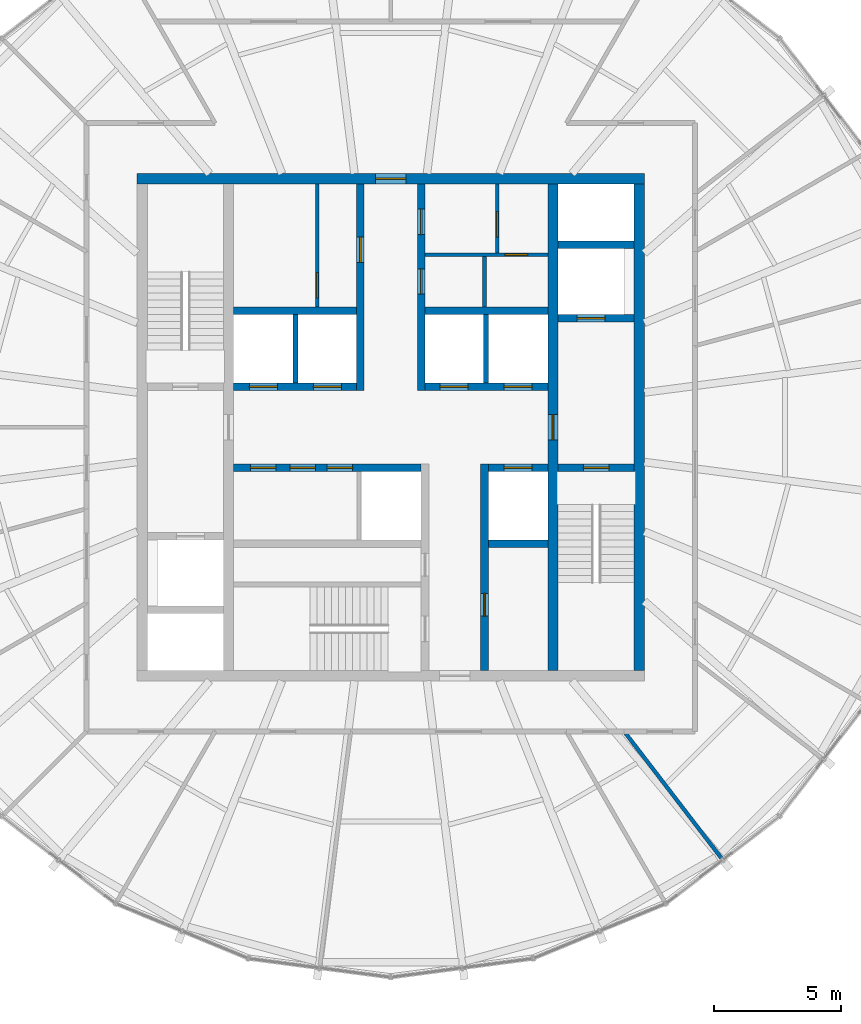
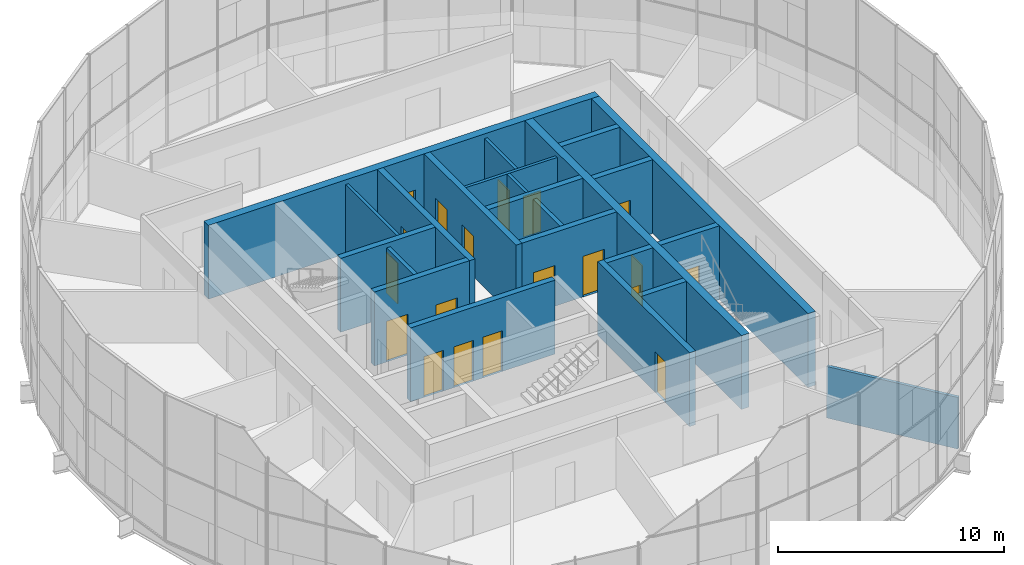
# One storey, part 16 of 18: 23 walls, 19 doors, 19 openings.
"""IFC4 building model written with IfcOpenShell, lengths in metres."""

from ifc_helpers import new_model, si_unit, direction, frame, frame_2d, origin, place, context, subcontext, project, spatial, rectangle, extrude, material, layer, layer_set, type_object, element, fill, save


model = new_model("IFC4")

# Units and contexts
model_context = context("Model", 3, precision=1e-05, world=origin(), true_north=direction((0.0, 1.0)))
body_context = subcontext(model_context, "Body", "Model", "MODEL_VIEW")
ifc_project = project(units=[si_unit("LENGTHUNIT", "METRE"), si_unit("AREAUNIT", "SQUARE_METRE"), si_unit("VOLUMEUNIT", "CUBIC_METRE"), si_unit("PLANEANGLEUNIT", "RADIAN"), si_unit("MASSUNIT", "GRAM", prefix="KILO")], contexts=[model_context])

# Site, building, storey
site_placement = place(None, origin())
site = spatial("IfcSite", under=ifc_project, at=site_placement, CompositionType="ELEMENT")
building_placement = place(site_placement, origin())
building = spatial("IfcBuilding", under=site, at=building_placement, Name="Golbaran Civic Tower", CompositionType="ELEMENT")
storey_placement = place(building_placement, frame((0.0, 0.0, 272.0)))
storey = spatial("IfcBuildingStorey", under=building, at=storey_placement, Name="L66", CompositionType="ELEMENT", Elevation=272.0)

# Wall, opening, door
ifc_material_1 = material(Name="Concrete block", Category="concrete")
ifc_layer_1 = layer(ifc_material_1, 0.14990234375, Name="Concrete block")
ifc_layer_set_1 = layer_set([ifc_layer_1], Name="Concrete block")
wall_type_1 = type_object("IfcWallType", Name="BLOCKWORK PARTITION 150", PredefinedType="PARTITIONING", material=ifc_layer_set_1)
wall_1_placement = place(storey_placement, frame((1.35009765625, 6.800048828125, 0.0), z_axis=(0.0, 0.0, 1.0), x_axis=(1.0, 0.0, 0.0)))
wall_1 = element("IfcWall", 1, at=wall_1_placement, inside=storey, type_object=wall_type_1, Name="Toilet block partition TN1 L66", PredefinedType="PARTITIONING", context=body_context, shape_type="SweptSolid", body=[
    extrude(rectangle(XDim=4.849853515625, YDim=0.14990234375, at=frame_2d((2.4248046875, 0.0))), origin(), (0.0, 0.0, 1.0), 3.75),
])
opening_1_placement = place(wall_1_placement, frame((3.14990234375, 0.0, 0.0)))
opening_1 = element("IfcOpeningElement", 2, at=opening_1_placement, cuts=wall_1, Name="Opening L66.CLN", PredefinedType="OPENING", context=body_context, shape_type="SweptSolid", body=[
    extrude(rectangle(XDim=0.89990234375, YDim=2.199951171875, at=frame_2d((0.449951171875, 1.10009765625))), frame((0.0, 0.0849609375, 0.0), z_axis=(0.0, -1.0, 0.0), x_axis=(1.0, 0.0, 0.0)), (0.0, 0.0, 1.0), 0.169921875),
])
ifc_material_2 = material(Name="Timber door set in steel frame", Category="steel")
door_type_1 = type_object("IfcDoorType", Name="RISER DOOR 900x2200", OperationType="SINGLE_SWING_LEFT", PredefinedType="DOOR", material=ifc_material_2)
door_1_placement = place(opening_1_placement, origin())
door_1 = element("IfcDoor", 3, at=door_1_placement, inside=storey, type_object=door_type_1, Name="Sanitary Supplies Store door", OperationType="SINGLE_SWING_RIGHT", OverallHeight=2.199951171875, OverallWidth=0.89990234375, PredefinedType="DOOR", context=body_context, shape_type="SweptSolid", body=[
    extrude(rectangle(XDim=0.89990234375, YDim=2.199951171875, at=frame_2d((0.449951171875, 1.10009765625))), frame((0.0, 0.02490234375, 0.0), z_axis=(0.0, -1.0, 0.0), x_axis=(1.0, 0.0, 0.0)), (0.0, 0.0, 1.0), 0.050048828125),
])
fill(opening_1, door_1)

# Wall
wall_2_placement = place(storey_placement, frame((3.699951171875, 4.75, 0.0), z_axis=(0.0, 0.0, 1.0), x_axis=(0.0, 1.0, 0.0)))
element("IfcWall", 4, at=wall_2_placement, inside=storey, type_object=wall_type_1, Name="Toilet block partition TN2 L66", PredefinedType="PARTITIONING", context=body_context, shape_type="SweptSolid", body=[
    extrude(rectangle(XDim=1.97509765625, YDim=0.14990234375, at=frame_2d((0.987548828125, 0.0))), origin(), (0.0, 0.0, 1.0), 3.75),
])

# Wall, opening, door
ifc_material_3 = material(Name="Concrete C50/60", Category="concrete")
ifc_layer_2 = layer(ifc_material_3, 0.39990234375, Name="Concrete C50/60")
ifc_layer_set_2 = layer_set([ifc_layer_2], Name="Concrete C50/60")
wall_type_2 = type_object("IfcWallType", Name="CORE WALL CONCRETE 400", PredefinedType="SOLIDWALL", material=ifc_layer_set_2)
wall_3_placement = place(storey_placement, frame((-10.0, 9.800048828125, 0.0), z_axis=(0.0, 0.0, 1.0), x_axis=(1.0, 0.0, 0.0)))
wall_3 = element("IfcWall", 5, at=wall_3_placement, inside=storey, type_object=wall_type_2, Name="Core wall CN L66", PredefinedType="SOLIDWALL", context=body_context, shape_type="SweptSolid", body=[
    extrude(rectangle(XDim=20.0, YDim=0.39990234375, at=frame_2d((10.0, 0.0))), origin(), (0.0, 0.0, 1.0), 4.0),
])
opening_2_placement = place(wall_3_placement, frame((9.39990234375, 0.0, 0.0)))
opening_2 = element("IfcOpeningElement", 6, at=opening_2_placement, cuts=wall_3, Name="Opening L66.CN", PredefinedType="OPENING", context=body_context, shape_type="SweptSolid", body=[
    extrude(rectangle(XDim=1.199951171875, YDim=2.199951171875, at=frame_2d((0.60009765625, 1.10009765625))), frame((0.0, 0.2099609375, 0.0), z_axis=(0.0, -1.0, 0.0), x_axis=(1.0, 0.0, 0.0)), (0.0, 0.0, 1.0), 0.419921875),
])
door_type_2 = type_object("IfcDoorType", Name="CORE DOOR 1200x2200", OperationType="DOUBLE_DOOR_SINGLE_SWING", PredefinedType="DOOR", material=ifc_material_2)
door_2_placement = place(opening_2_placement, origin())
door_2 = element("IfcDoor", 7, at=door_2_placement, inside=storey, type_object=door_type_2, Name="Core door north", OperationType="DOUBLE_DOOR_SINGLE_SWING", OverallHeight=2.199951171875, OverallWidth=1.199951171875, PredefinedType="DOOR", context=body_context, shape_type="SweptSolid", body=[
    extrude(rectangle(XDim=1.199951171875, YDim=2.199951171875, at=frame_2d((0.60009765625, 1.10009765625))), frame((0.0, 0.02490234375, 0.0), z_axis=(0.0, -1.0, 0.0), x_axis=(1.0, 0.0, 0.0)), (0.0, 0.0, 1.0), 0.050048828125),
])
fill(opening_2, door_2)

# Wall
wall_4_placement = place(storey_placement, frame((9.800048828125, -9.60009765625, 0.0), z_axis=(0.0, 0.0, 1.0), x_axis=(0.0, 1.0, 0.0)))
element("IfcWall", 8, at=wall_4_placement, inside=storey, type_object=wall_type_2, Name="Core wall CE L66", PredefinedType="SOLIDWALL", context=body_context, shape_type="SweptSolid", body=[
    extrude(rectangle(XDim=19.2001953125, YDim=0.39990234375, at=frame_2d((9.60009765625, 0.0))), origin(), (0.0, 0.0, 1.0), 4.0),
])

# Wall, opening, door
wall_5_placement = place(storey_placement, frame((6.39990234375, 9.60009765625, 0.0), z_axis=(0.0, 0.0, 1.0), x_axis=(0.0, -1.0, 0.0)))
wall_5 = element("IfcWall", 9, at=wall_5_placement, inside=storey, type_object=wall_type_2, Name="Core wall IE L66", PredefinedType="SOLIDWALL", context=body_context, shape_type="SweptSolid", body=[
    extrude(rectangle(XDim=19.2001953125, YDim=0.39990234375, at=frame_2d((9.60009765625, 0.0))), origin(), (0.0, 0.0, 1.0), 4.0),
])
opening_3_placement = place(wall_5_placement, frame((9.10009765625, 0.0, 0.0)))
opening_3 = element("IfcOpeningElement", 10, at=opening_3_placement, cuts=wall_5, Name="Opening L66.FL2", PredefinedType="OPENING", context=body_context, shape_type="SweptSolid", body=[
    extrude(rectangle(XDim=1.0, YDim=2.199951171875, at=frame_2d((0.5, 1.10009765625))), frame((0.0, 0.2099609375, 0.0), z_axis=(0.0, -1.0, 0.0), x_axis=(1.0, 0.0, 0.0)), (0.0, 0.0, 1.0), 0.419921875),
])
door_type_3 = type_object("IfcDoorType", Name="STAIR DOOR 1000x2200", OperationType="SINGLE_SWING_LEFT", PredefinedType="DOOR", material=ifc_material_2)
door_3_placement = place(opening_3_placement, origin())
door_3 = element("IfcDoor", 11, at=door_3_placement, inside=storey, type_object=door_type_3, Name="Fire-fighting lobby FL2 door", OperationType="SINGLE_SWING_RIGHT", OverallHeight=2.199951171875, OverallWidth=1.0, PredefinedType="DOOR", context=body_context, shape_type="SweptSolid", body=[
    extrude(rectangle(XDim=1.0, YDim=2.199951171875, at=frame_2d((0.5, 1.10009765625))), frame((0.0, 0.02490234375, 0.0), z_axis=(0.0, -1.0, 0.0), x_axis=(1.0, 0.0, 0.0)), (0.0, 0.0, 1.0), 0.050048828125),
])
fill(opening_3, door_3)

# Walls
ifc_layer_3 = layer(ifc_material_1, 0.199951171875, Name="Concrete block")
ifc_layer_set_3 = layer_set([ifc_layer_3], Name="Concrete block")
wall_type_3 = type_object("IfcWallType", Name="LIFT SEPARATOR WALL 200", PredefinedType="SOLIDWALL", material=ifc_layer_set_3)
for number, where, z_axis, x_axis, name in (
    (12, (-3.75, 1.75, 0.0), (0.0, 0.0, 1.0), (0.0, 1.0, 0.0), "Core partition SNW L66"),
    (13, (3.75, 1.75, 0.0), (0.0, 0.0, 1.0), (0.0, 1.0, 0.0), "Core partition SNE L66"),
):
    element("IfcWall", number, at=place(storey_placement, frame(where, z_axis=z_axis, x_axis=x_axis)), inside=storey, type_object=wall_type_3, Name=name, PredefinedType="SOLIDWALL", context=body_context, shape_type="SweptSolid", body=[
        extrude(rectangle(XDim=2.699951171875, YDim=0.199951171875, at=frame_2d((1.35009765625, 0.0))), origin(), (0.0, 0.0, 1.0), 3.75),
    ])
ifc_material_4 = material(Name="Gypsum board on steel studs", Category="steel")
ifc_layer_4 = layer(ifc_material_4, 0.14990234375, Name="Gypsum board on steel studs")
ifc_layer_set_4 = layer_set([ifc_layer_4], Name="Gypsum board on steel studs")
wall_type_4 = type_object("IfcWallType", Name="OFFICE PARTITION 150", PredefinedType="PARTITIONING", material=ifc_layer_set_4)
wall_6_placement = place(storey_placement, frame((9.2080078125, -12.0, 0.0), z_axis=(0.0, 0.0, 1.0), x_axis=(0.608752966797, -0.793359833503, 0.0)))
element("IfcWall", 14, at=wall_6_placement, inside=storey, type_object=wall_type_4, Name="Partition 307.5 L66", PredefinedType="PARTITIONING", context=body_context, shape_type="SweptSolid", body=[
    extrude(rectangle(XDim=6.297607421875, YDim=0.14990234375, at=frame_2d((3.14892578125, 0.0))), origin(), (0.0, 0.0, 1.0), 2.7900390625),
])

# Wall, openings, doors
ifc_layer_5 = layer(ifc_material_3, 0.300048828125, Name="Concrete C50/60")
ifc_layer_set_5 = layer_set([ifc_layer_5], Name="Concrete C50/60")
wall_type_5 = type_object("IfcWallType", Name="SHAFT WALL CONCRETE 300", PredefinedType="SOLIDWALL", material=ifc_layer_set_5)
wall_7_placement = place(storey_placement, frame((-6.199951171875, 1.60009765625, 0.0), z_axis=(0.0, 0.0, 1.0), x_axis=(1.0, 0.0, 0.0)))
wall_7 = element("IfcWall", 15, at=wall_7_placement, inside=storey, type_object=wall_type_5, Name="Core wall FNW L66", PredefinedType="SOLIDWALL", context=body_context, shape_type="SweptSolid", body=[
    extrude(rectangle(XDim=4.849853515625, YDim=0.300048828125, at=frame_2d((2.4248046875, 0.0))), origin(), (0.0, 0.0, 1.0), 4.0),
])
opening_4_placement = place(wall_7_placement, frame((0.625, 0.0, 0.0)))
opening_4 = element("IfcOpeningElement", 16, at=opening_4_placement, cuts=wall_7, Name="Opening L66.LD-Z1T", PredefinedType="OPENING", context=body_context, shape_type="SweptSolid", body=[
    extrude(rectangle(XDim=1.10009765625, YDim=2.199951171875, at=frame_2d((0.550048828125, 1.10009765625))), frame((0.0, 0.159912109375, 0.0), z_axis=(0.0, -1.0, 0.0), x_axis=(1.0, 0.0, 0.0)), (0.0, 0.0, 1.0), 0.320068359375),
])
opening_5_placement = place(wall_7_placement, frame((3.14990234375, 0.0, 0.0)))
opening_5 = element("IfcOpeningElement", 17, at=opening_5_placement, cuts=wall_7, Name="Opening L66.LD-Z2T", PredefinedType="OPENING", context=body_context, shape_type="SweptSolid", body=[
    extrude(rectangle(XDim=1.10009765625, YDim=2.199951171875, at=frame_2d((0.550048828125, 1.10009765625))), frame((0.0, 0.159912109375, 0.0), z_axis=(0.0, -1.0, 0.0), x_axis=(1.0, 0.0, 0.0)), (0.0, 0.0, 1.0), 0.320068359375),
])
ifc_material_5 = material(Name="Stainless steel", Category="steel")
door_type_4 = type_object("IfcDoorType", Name="LIFT LANDING DOOR 1100x2200", OperationType="SLIDING_TO_LEFT", PredefinedType="DOOR", material=ifc_material_5)
door_4_placement = place(opening_4_placement, origin())
door_4 = element("IfcDoor", 18, at=door_4_placement, inside=storey, type_object=door_type_4, Name="Lift landing door Z1T", OperationType="SLIDING_TO_LEFT", OverallHeight=2.199951171875, OverallWidth=1.10009765625, PredefinedType="DOOR", context=body_context, shape_type="SweptSolid", body=[
    extrude(rectangle(XDim=1.10009765625, YDim=2.199951171875, at=frame_2d((0.550048828125, 1.10009765625))), frame((0.0, 0.02490234375, 0.0), z_axis=(0.0, -1.0, 0.0), x_axis=(1.0, 0.0, 0.0)), (0.0, 0.0, 1.0), 0.050048828125),
])
fill(opening_4, door_4)
door_5_placement = place(opening_5_placement, origin())
door_5 = element("IfcDoor", 19, at=door_5_placement, inside=storey, type_object=door_type_4, Name="Lift landing door Z2T", OperationType="SLIDING_TO_LEFT", OverallHeight=2.199951171875, OverallWidth=1.10009765625, PredefinedType="DOOR", context=body_context, shape_type="SweptSolid", body=[
    extrude(rectangle(XDim=1.10009765625, YDim=2.199951171875, at=frame_2d((0.550048828125, 1.10009765625))), frame((0.0, 0.02490234375, 0.0), z_axis=(0.0, -1.0, 0.0), x_axis=(1.0, 0.0, 0.0)), (0.0, 0.0, 1.0), 0.050048828125),
])
fill(opening_5, door_5)

wall_8_placement = place(storey_placement, frame((1.35009765625, 1.60009765625, 0.0), z_axis=(0.0, 0.0, 1.0), x_axis=(1.0, 0.0, 0.0)))
wall_8 = element("IfcWall", 20, at=wall_8_placement, inside=storey, type_object=wall_type_5, Name="Core wall FNE L66", PredefinedType="SOLIDWALL", context=body_context, shape_type="SweptSolid", body=[
    extrude(rectangle(XDim=4.849853515625, YDim=0.300048828125, at=frame_2d((2.4248046875, 0.0))), origin(), (0.0, 0.0, 1.0), 4.0),
])
opening_6_placement = place(wall_8_placement, frame((0.60009765625, 0.0, 0.0)))
opening_6 = element("IfcOpeningElement", 21, at=opening_6_placement, cuts=wall_8, Name="Opening L66.LD-Z3T", PredefinedType="OPENING", context=body_context, shape_type="SweptSolid", body=[
    extrude(rectangle(XDim=1.10009765625, YDim=2.199951171875, at=frame_2d((0.550048828125, 1.10009765625))), frame((0.0, 0.159912109375, 0.0), z_axis=(0.0, -1.0, 0.0), x_axis=(1.0, 0.0, 0.0)), (0.0, 0.0, 1.0), 0.320068359375),
])
opening_7_placement = place(wall_8_placement, frame((3.125, 0.0, 0.0)))
opening_7 = element("IfcOpeningElement", 22, at=opening_7_placement, cuts=wall_8, Name="Opening L66.LD-Z4T", PredefinedType="OPENING", context=body_context, shape_type="SweptSolid", body=[
    extrude(rectangle(XDim=1.10009765625, YDim=2.199951171875, at=frame_2d((0.550048828125, 1.10009765625))), frame((0.0, 0.159912109375, 0.0), z_axis=(0.0, -1.0, 0.0), x_axis=(1.0, 0.0, 0.0)), (0.0, 0.0, 1.0), 0.320068359375),
])
door_6_placement = place(opening_6_placement, origin())
door_6 = element("IfcDoor", 23, at=door_6_placement, inside=storey, type_object=door_type_4, Name="Lift landing door Z3T", OperationType="SLIDING_TO_LEFT", OverallHeight=2.199951171875, OverallWidth=1.10009765625, PredefinedType="DOOR", context=body_context, shape_type="SweptSolid", body=[
    extrude(rectangle(XDim=1.10009765625, YDim=2.199951171875, at=frame_2d((0.550048828125, 1.10009765625))), frame((0.0, 0.02490234375, 0.0), z_axis=(0.0, -1.0, 0.0), x_axis=(1.0, 0.0, 0.0)), (0.0, 0.0, 1.0), 0.050048828125),
])
fill(opening_6, door_6)
door_7_placement = place(opening_7_placement, origin())
door_7 = element("IfcDoor", 24, at=door_7_placement, inside=storey, type_object=door_type_4, Name="Lift landing door Z4T", OperationType="SLIDING_TO_LEFT", OverallHeight=2.199951171875, OverallWidth=1.10009765625, PredefinedType="DOOR", context=body_context, shape_type="SweptSolid", body=[
    extrude(rectangle(XDim=1.10009765625, YDim=2.199951171875, at=frame_2d((0.550048828125, 1.10009765625))), frame((0.0, 0.02490234375, 0.0), z_axis=(0.0, -1.0, 0.0), x_axis=(1.0, 0.0, 0.0)), (0.0, 0.0, 1.0), 0.050048828125),
])
fill(opening_7, door_7)

# Walls
for number, where, z_axis, x_axis, name in (
    (25, (-6.199951171875, 4.60009765625, 0.0), (0.0, 0.0, 1.0), (1.0, 0.0, 0.0), "Core wall BNW L66"),
    (26, (1.35009765625, 4.60009765625, 0.0), (0.0, 0.0, 1.0), (1.0, 0.0, 0.0), "Core wall BNE L66"),
):
    element("IfcWall", number, at=place(storey_placement, frame(where, z_axis=z_axis, x_axis=x_axis)), inside=storey, type_object=wall_type_5, Name=name, PredefinedType="SOLIDWALL", context=body_context, shape_type="SweptSolid", body=[
        extrude(rectangle(XDim=4.849853515625, YDim=0.300048828125, at=frame_2d((2.4248046875, 0.0))), origin(), (0.0, 0.0, 1.0), 4.0),
    ])

# Wall, opening, door
wall_9_placement = place(storey_placement, frame((-1.199951171875, 1.449951171875, 0.0), z_axis=(0.0, 0.0, 1.0), x_axis=(0.0, 1.0, 0.0)))
wall_9 = element("IfcWall", 27, at=wall_9_placement, inside=storey, type_object=wall_type_5, Name="Core wall PNW L66", PredefinedType="SOLIDWALL", context=body_context, shape_type="SweptSolid", body=[
    extrude(rectangle(XDim=8.150146484375, YDim=0.300048828125, at=frame_2d((4.0751953125, 0.0))), origin(), (0.0, 0.0, 1.0), 4.0),
])
opening_8_placement = place(wall_9_placement, frame((5.050048828125, 0.0, 0.0)))
opening_8 = element("IfcOpeningElement", 28, at=opening_8_placement, cuts=wall_9, Name="Opening L66.WCM", PredefinedType="OPENING", context=body_context, shape_type="SweptSolid", body=[
    extrude(rectangle(XDim=1.0, YDim=2.199951171875, at=frame_2d((0.5, 1.10009765625))), frame((0.0, 0.159912109375, 0.0), z_axis=(0.0, -1.0, 0.0), x_axis=(1.0, 0.0, 0.0)), (0.0, 0.0, 1.0), 0.320068359375),
])
door_type_5 = type_object("IfcDoorType", Name="TOILET DOOR 1000x2200", OperationType="SINGLE_SWING_LEFT", PredefinedType="DOOR", material=ifc_material_2)
door_8_placement = place(opening_8_placement, origin())
door_8 = element("IfcDoor", 29, at=door_8_placement, inside=storey, type_object=door_type_5, Name="North-west toilet block door", OperationType="SINGLE_SWING_RIGHT", OverallHeight=2.199951171875, OverallWidth=1.0, PredefinedType="DOOR", context=body_context, shape_type="SweptSolid", body=[
    extrude(rectangle(XDim=1.0, YDim=2.199951171875, at=frame_2d((0.5, 1.10009765625))), frame((0.0, 0.02490234375, 0.0), z_axis=(0.0, -1.0, 0.0), x_axis=(1.0, 0.0, 0.0)), (0.0, 0.0, 1.0), 0.050048828125),
])
fill(opening_8, door_8)

# Wall, openings, doors
wall_10_placement = place(storey_placement, frame((1.199951171875, 1.449951171875, 0.0), z_axis=(0.0, 0.0, 1.0), x_axis=(0.0, 1.0, 0.0)))
wall_10 = element("IfcWall", 30, at=wall_10_placement, inside=storey, type_object=wall_type_5, Name="Core wall PNE L66", PredefinedType="SOLIDWALL", context=body_context, shape_type="SweptSolid", body=[
    extrude(rectangle(XDim=8.150146484375, YDim=0.300048828125, at=frame_2d((4.0751953125, 0.0))), origin(), (0.0, 0.0, 1.0), 4.0),
])
opening_9_placement = place(wall_10_placement, frame((3.800048828125, 0.0, 0.0)))
opening_9 = element("IfcOpeningElement", 31, at=opening_9_placement, cuts=wall_10, Name="Opening L66.WCA", PredefinedType="OPENING", context=body_context, shape_type="SweptSolid", body=[
    extrude(rectangle(XDim=1.0, YDim=2.199951171875, at=frame_2d((0.5, 1.10009765625))), frame((0.0, 0.159912109375, 0.0), z_axis=(0.0, -1.0, 0.0), x_axis=(1.0, 0.0, 0.0)), (0.0, 0.0, 1.0), 0.320068359375),
])
opening_10_placement = place(wall_10_placement, frame((6.14990234375, 0.0, 0.0)))
opening_10 = element("IfcOpeningElement", 32, at=opening_10_placement, cuts=wall_10, Name="Opening L66.WCF", PredefinedType="OPENING", context=body_context, shape_type="SweptSolid", body=[
    extrude(rectangle(XDim=1.0, YDim=2.199951171875, at=frame_2d((0.5, 1.10009765625))), frame((0.0, 0.159912109375, 0.0), z_axis=(0.0, -1.0, 0.0), x_axis=(1.0, 0.0, 0.0)), (0.0, 0.0, 1.0), 0.320068359375),
])
door_9_placement = place(opening_9_placement, origin())
door_9 = element("IfcDoor", 33, at=door_9_placement, inside=storey, type_object=door_type_5, Name="Accessible WC door", OperationType="SINGLE_SWING_RIGHT", OverallHeight=2.199951171875, OverallWidth=1.0, PredefinedType="DOOR", context=body_context, shape_type="SweptSolid", body=[
    extrude(rectangle(XDim=1.0, YDim=2.199951171875, at=frame_2d((0.5, 1.10009765625))), frame((0.0, 0.02490234375, 0.0), z_axis=(0.0, -1.0, 0.0), x_axis=(1.0, 0.0, 0.0)), (0.0, 0.0, 1.0), 0.050048828125),
])
fill(opening_9, door_9)
door_10_placement = place(opening_10_placement, origin())
door_10 = element("IfcDoor", 34, at=door_10_placement, inside=storey, type_object=door_type_5, Name="North-east toilet block door", OperationType="SINGLE_SWING_RIGHT", OverallHeight=2.199951171875, OverallWidth=1.0, PredefinedType="DOOR", context=body_context, shape_type="SweptSolid", body=[
    extrude(rectangle(XDim=1.0, YDim=2.199951171875, at=frame_2d((0.5, 1.10009765625))), frame((0.0, 0.02490234375, 0.0), z_axis=(0.0, -1.0, 0.0), x_axis=(1.0, 0.0, 0.0)), (0.0, 0.0, 1.0), 0.050048828125),
])
fill(opening_10, door_10)

wall_11_placement = place(storey_placement, frame((-6.199951171875, -1.60009765625, 0.0), z_axis=(0.0, 0.0, 1.0), x_axis=(1.0, 0.0, 0.0)))
wall_11 = element("IfcWall", 35, at=wall_11_placement, inside=storey, type_object=wall_type_5, Name="Core wall FSW L66", PredefinedType="SOLIDWALL", context=body_context, shape_type="SweptSolid", body=[
    extrude(rectangle(XDim=7.39990234375, YDim=0.300048828125, at=frame_2d((3.699951171875, 0.0))), origin(), (0.0, 0.0, 1.0), 4.0),
])
opening_11_placement = place(wall_11_placement, frame((0.675048828125, 0.0, 0.0)))
opening_11 = element("IfcOpeningElement", 36, at=opening_11_placement, cuts=wall_11, Name="Opening L66.H1R", PredefinedType="OPENING", context=body_context, shape_type="SweptSolid", body=[
    extrude(rectangle(XDim=1.0, YDim=2.199951171875, at=frame_2d((0.5, 1.10009765625))), frame((0.0, 0.159912109375, 0.0), z_axis=(0.0, -1.0, 0.0), x_axis=(1.0, 0.0, 0.0)), (0.0, 0.0, 1.0), 0.320068359375),
])
opening_12_placement = place(wall_11_placement, frame((2.22509765625, 0.0, 0.0)))
opening_12 = element("IfcOpeningElement", 37, at=opening_12_placement, cuts=wall_11, Name="Opening L66.H2R", PredefinedType="OPENING", context=body_context, shape_type="SweptSolid", body=[
    extrude(rectangle(XDim=1.0, YDim=2.199951171875, at=frame_2d((0.5, 1.10009765625))), frame((0.0, 0.159912109375, 0.0), z_axis=(0.0, -1.0, 0.0), x_axis=(1.0, 0.0, 0.0)), (0.0, 0.0, 1.0), 0.320068359375),
])
opening_13_placement = place(wall_11_placement, frame((3.695068359375, 0.0, 0.0)))
opening_13 = element("IfcOpeningElement", 38, at=opening_13_placement, cuts=wall_11, Name="Opening L66.H3R", PredefinedType="OPENING", context=body_context, shape_type="SweptSolid", body=[
    extrude(rectangle(XDim=1.0, YDim=2.199951171875, at=frame_2d((0.5, 1.10009765625))), frame((0.0, 0.159912109375, 0.0), z_axis=(0.0, -1.0, 0.0), x_axis=(1.0, 0.0, 0.0)), (0.0, 0.0, 1.0), 0.320068359375),
])
door_type_6 = type_object("IfcDoorType", Name="CORE ROOM DOOR 1000x2200", OperationType="SINGLE_SWING_LEFT", PredefinedType="DOOR", material=ifc_material_2)
door_11_placement = place(opening_11_placement, origin())
door_11 = element("IfcDoor", 39, at=door_11_placement, inside=storey, type_object=door_type_6, Name="Archive and Records Room door", OperationType="SINGLE_SWING_LEFT", OverallHeight=2.199951171875, OverallWidth=1.0, PredefinedType="DOOR", context=body_context, shape_type="SweptSolid", body=[
    extrude(rectangle(XDim=1.0, YDim=2.199951171875, at=frame_2d((0.5, 1.10009765625))), frame((0.0, 0.02490234375, 0.0), z_axis=(0.0, -1.0, 0.0), x_axis=(1.0, 0.0, 0.0)), (0.0, 0.0, 1.0), 0.050048828125),
])
fill(opening_11, door_11)
door_12_placement = place(opening_12_placement, origin())
door_12 = element("IfcDoor", 40, at=door_12_placement, inside=storey, type_object=door_type_6, Name="Archive and Records Room door", OperationType="SINGLE_SWING_LEFT", OverallHeight=2.199951171875, OverallWidth=1.0, PredefinedType="DOOR", context=body_context, shape_type="SweptSolid", body=[
    extrude(rectangle(XDim=1.0, YDim=2.199951171875, at=frame_2d((0.5, 1.10009765625))), frame((0.0, 0.02490234375, 0.0), z_axis=(0.0, -1.0, 0.0), x_axis=(1.0, 0.0, 0.0)), (0.0, 0.0, 1.0), 0.050048828125),
])
fill(opening_12, door_12)
door_13_placement = place(opening_13_placement, origin())
door_13 = element("IfcDoor", 41, at=door_13_placement, inside=storey, type_object=door_type_6, Name="Archive and Records Room door", OperationType="SINGLE_SWING_RIGHT", OverallHeight=2.199951171875, OverallWidth=1.0, PredefinedType="DOOR", context=body_context, shape_type="SweptSolid", body=[
    extrude(rectangle(XDim=1.0, YDim=2.199951171875, at=frame_2d((0.5, 1.10009765625))), frame((0.0, 0.02490234375, 0.0), z_axis=(0.0, -1.0, 0.0), x_axis=(1.0, 0.0, 0.0)), (0.0, 0.0, 1.0), 0.050048828125),
])
fill(opening_13, door_13)

# Wall, opening, door
wall_12_placement = place(storey_placement, frame((3.85009765625, -1.60009765625, 0.0), z_axis=(0.0, 0.0, 1.0), x_axis=(1.0, 0.0, 0.0)))
wall_12 = element("IfcWall", 42, at=wall_12_placement, inside=storey, type_object=wall_type_5, Name="Core wall FSE L66", PredefinedType="SOLIDWALL", context=body_context, shape_type="SweptSolid", body=[
    extrude(rectangle(XDim=2.349853515625, YDim=0.300048828125, at=frame_2d((1.1748046875, 0.0))), origin(), (0.0, 0.0, 1.0), 4.0),
])
opening_14_placement = place(wall_12_placement, frame((0.625, 0.0, 0.0)))
opening_14 = element("IfcOpeningElement", 43, at=opening_14_placement, cuts=wall_12, Name="Opening L66.LD-V1", PredefinedType="OPENING", context=body_context, shape_type="SweptSolid", body=[
    extrude(rectangle(XDim=1.10009765625, YDim=2.199951171875, at=frame_2d((0.550048828125, 1.10009765625))), frame((0.0, 0.159912109375, 0.0), z_axis=(0.0, -1.0, 0.0), x_axis=(1.0, 0.0, 0.0)), (0.0, 0.0, 1.0), 0.320068359375),
])
door_14_placement = place(opening_14_placement, origin())
door_14 = element("IfcDoor", 44, at=door_14_placement, inside=storey, type_object=door_type_4, Name="Lift landing door V1", OperationType="SLIDING_TO_LEFT", OverallHeight=2.199951171875, OverallWidth=1.10009765625, PredefinedType="DOOR", context=body_context, shape_type="SweptSolid", body=[
    extrude(rectangle(XDim=1.10009765625, YDim=2.199951171875, at=frame_2d((0.550048828125, 1.10009765625))), frame((0.0, 0.02490234375, 0.0), z_axis=(0.0, -1.0, 0.0), x_axis=(1.0, 0.0, 0.0)), (0.0, 0.0, 1.0), 0.050048828125),
])
fill(opening_14, door_14)

# Wall
wall_13_placement = place(storey_placement, frame((3.85009765625, -4.60009765625, 0.0), z_axis=(0.0, 0.0, 1.0), x_axis=(1.0, 0.0, 0.0)))
element("IfcWall", 45, at=wall_13_placement, inside=storey, type_object=wall_type_5, Name="Core wall BSE L66", PredefinedType="SOLIDWALL", context=body_context, shape_type="SweptSolid", body=[
    extrude(rectangle(XDim=2.349853515625, YDim=0.300048828125, at=frame_2d((1.1748046875, 0.0))), origin(), (0.0, 0.0, 1.0), 4.0),
])

# Wall, opening, door
wall_14_placement = place(storey_placement, frame((3.699951171875, -1.449951171875, 0.0), z_axis=(0.0, 0.0, 1.0), x_axis=(0.0, -1.0, 0.0)))
wall_14 = element("IfcWall", 46, at=wall_14_placement, inside=storey, type_object=wall_type_5, Name="Core wall PSE L66", PredefinedType="SOLIDWALL", context=body_context, shape_type="SweptSolid", body=[
    extrude(rectangle(XDim=8.150146484375, YDim=0.300048828125, at=frame_2d((4.0751953125, 0.0))), origin(), (0.0, 0.0, 1.0), 4.0),
])
opening_15_placement = place(wall_14_placement, frame((5.10009765625, 0.0, 0.0)))
opening_15 = element("IfcOpeningElement", 47, at=opening_15_placement, cuts=wall_14, Name="Opening L66.RM", PredefinedType="OPENING", context=body_context, shape_type="SweptSolid", body=[
    extrude(rectangle(XDim=0.89990234375, YDim=2.199951171875, at=frame_2d((0.449951171875, 1.10009765625))), frame((0.0, 0.159912109375, 0.0), z_axis=(0.0, -1.0, 0.0), x_axis=(1.0, 0.0, 0.0)), (0.0, 0.0, 1.0), 0.320068359375),
])
door_15_placement = place(opening_15_placement, origin())
door_15 = element("IfcDoor", 48, at=door_15_placement, inside=storey, type_object=door_type_1, Name="Mechanical riser door", OperationType="SINGLE_SWING_RIGHT", OverallHeight=2.199951171875, OverallWidth=0.89990234375, PredefinedType="DOOR", context=body_context, shape_type="SweptSolid", body=[
    extrude(rectangle(XDim=0.89990234375, YDim=2.199951171875, at=frame_2d((0.449951171875, 1.10009765625))), frame((0.0, 0.02490234375, 0.0), z_axis=(0.0, -1.0, 0.0), x_axis=(1.0, 0.0, 0.0)), (0.0, 0.0, 1.0), 0.050048828125),
])
fill(opening_15, door_15)

wall_15_placement = place(storey_placement, frame((6.60009765625, -1.60009765625, 0.0), z_axis=(0.0, 0.0, 1.0), x_axis=(1.0, 0.0, 0.0)))
wall_15 = element("IfcWall", 49, at=wall_15_placement, inside=storey, type_object=wall_type_5, Name="Core wall XE1 L66", PredefinedType="SOLIDWALL", context=body_context, shape_type="SweptSolid", body=[
    extrude(rectangle(XDim=3.0, YDim=0.300048828125, at=frame_2d((1.5, 0.0))), origin(), (0.0, 0.0, 1.0), 4.0),
])
opening_16_placement = place(wall_15_placement, frame((1.0, 0.0, 0.0)))
opening_16 = element("IfcOpeningElement", 50, at=opening_16_placement, cuts=wall_15, Name="Opening L66.S2", PredefinedType="OPENING", context=body_context, shape_type="SweptSolid", body=[
    extrude(rectangle(XDim=1.0, YDim=2.199951171875, at=frame_2d((0.5, 1.10009765625))), frame((0.0, 0.159912109375, 0.0), z_axis=(0.0, -1.0, 0.0), x_axis=(1.0, 0.0, 0.0)), (0.0, 0.0, 1.0), 0.320068359375),
])
door_16_placement = place(opening_16_placement, origin())
door_16 = element("IfcDoor", 51, at=door_16_placement, inside=storey, type_object=door_type_3, Name="Stair S2 door", OperationType="SINGLE_SWING_LEFT", OverallHeight=2.199951171875, OverallWidth=1.0, PredefinedType="DOOR", context=body_context, shape_type="SweptSolid", body=[
    extrude(rectangle(XDim=1.0, YDim=2.199951171875, at=frame_2d((0.5, 1.10009765625))), frame((0.0, 0.02490234375, 0.0), z_axis=(0.0, -1.0, 0.0), x_axis=(1.0, 0.0, 0.0)), (0.0, 0.0, 1.0), 0.050048828125),
])
fill(opening_16, door_16)

wall_16_placement = place(storey_placement, frame((6.60009765625, 4.300048828125, 0.0), z_axis=(0.0, 0.0, 1.0), x_axis=(1.0, 0.0, 0.0)))
wall_16 = element("IfcWall", 52, at=wall_16_placement, inside=storey, type_object=wall_type_5, Name="Core wall XE2 L66", PredefinedType="SOLIDWALL", context=body_context, shape_type="SweptSolid", body=[
    extrude(rectangle(XDim=3.0, YDim=0.300048828125, at=frame_2d((1.5, 0.0))), origin(), (0.0, 0.0, 1.0), 4.0),
])
opening_17_placement = place(wall_16_placement, frame((0.75, 0.0, 0.0)))
opening_17 = element("IfcOpeningElement", 53, at=opening_17_placement, cuts=wall_16, Name="Opening L66.LD-F2", PredefinedType="OPENING", context=body_context, shape_type="SweptSolid", body=[
    extrude(rectangle(XDim=1.10009765625, YDim=2.199951171875, at=frame_2d((0.550048828125, 1.10009765625))), frame((0.0, 0.159912109375, 0.0), z_axis=(0.0, -1.0, 0.0), x_axis=(1.0, 0.0, 0.0)), (0.0, 0.0, 1.0), 0.320068359375),
])
door_17_placement = place(opening_17_placement, origin())
door_17 = element("IfcDoor", 54, at=door_17_placement, inside=storey, type_object=door_type_4, Name="Lift landing door F2", OperationType="SLIDING_TO_LEFT", OverallHeight=2.199951171875, OverallWidth=1.10009765625, PredefinedType="DOOR", context=body_context, shape_type="SweptSolid", body=[
    extrude(rectangle(XDim=1.10009765625, YDim=2.199951171875, at=frame_2d((0.550048828125, 1.10009765625))), frame((0.0, 0.02490234375, 0.0), z_axis=(0.0, -1.0, 0.0), x_axis=(1.0, 0.0, 0.0)), (0.0, 0.0, 1.0), 0.050048828125),
])
fill(opening_17, door_17)

# Wall
wall_17_placement = place(storey_placement, frame((6.60009765625, 7.199951171875, 0.0), z_axis=(0.0, 0.0, 1.0), x_axis=(1.0, 0.0, 0.0)))
element("IfcWall", 55, at=wall_17_placement, inside=storey, type_object=wall_type_5, Name="Core wall XE3 L66", PredefinedType="SOLIDWALL", context=body_context, shape_type="SweptSolid", body=[
    extrude(rectangle(XDim=3.0, YDim=0.300048828125, at=frame_2d((1.5, 0.0))), origin(), (0.0, 0.0, 1.0), 4.0),
])

# Wall, opening, door
ifc_material_6 = material(Name="Moisture-resistant gypsum board on steel studs", Category="steel")
ifc_layer_6 = layer(ifc_material_6, 0.14990234375, Name="Moisture-resistant gypsum board on steel studs")
ifc_layer_set_6 = layer_set([ifc_layer_6], Name="Moisture-resistant gypsum board on steel studs")
wall_type_6 = type_object("IfcWallType", Name="TOILET BLOCK PARTITION 150", PredefinedType="PARTITIONING", material=ifc_layer_set_6)
wall_18_placement = place(storey_placement, frame((4.199951171875, 6.875, 0.0), z_axis=(0.0, 0.0, 1.0), x_axis=(0.0, 1.0, 0.0)))
wall_18 = element("IfcWall", 56, at=wall_18_placement, inside=storey, type_object=wall_type_6, Name="Toilet block partition TN3 L66", PredefinedType="PARTITIONING", context=body_context, shape_type="SweptSolid", body=[
    extrude(rectangle(XDim=2.72509765625, YDim=0.14990234375, at=frame_2d((1.362548828125, 0.0))), origin(), (0.0, 0.0, 1.0), 3.75),
])
opening_18_placement = place(wall_18_placement, frame((0.625, 0.0, 0.0)))
opening_18 = element("IfcOpeningElement", 57, at=opening_18_placement, cuts=wall_18, Name="Opening L66.03", PredefinedType="OPENING", context=body_context, shape_type="SweptSolid", body=[
    extrude(rectangle(XDim=1.0, YDim=2.199951171875, at=frame_2d((0.5, 1.10009765625))), frame((0.0, 0.0849609375, 0.0), z_axis=(0.0, -1.0, 0.0), x_axis=(1.0, 0.0, 0.0)), (0.0, 0.0, 1.0), 0.169921875),
])
door_18_placement = place(opening_18_placement, origin())
door_18 = element("IfcDoor", 58, at=door_18_placement, inside=storey, type_object=door_type_5, Name="Parents' room door", OperationType="SINGLE_SWING_LEFT", OverallHeight=2.199951171875, OverallWidth=1.0, PredefinedType="DOOR", context=body_context, shape_type="SweptSolid", body=[
    extrude(rectangle(XDim=1.0, YDim=2.199951171875, at=frame_2d((0.5, 1.10009765625))), frame((0.0, 0.02490234375, 0.0), z_axis=(0.0, -1.0, 0.0), x_axis=(1.0, 0.0, 0.0)), (0.0, 0.0, 1.0), 0.050048828125),
])
fill(opening_18, door_18)

wall_19_placement = place(storey_placement, frame((-2.89990234375, 4.75, 0.0), z_axis=(0.0, 0.0, 1.0), x_axis=(0.0, 1.0, 0.0)))
wall_19 = element("IfcWall", 59, at=wall_19_placement, inside=storey, type_object=wall_type_6, Name="Toilet block partition MWL L66", PredefinedType="PARTITIONING", context=body_context, shape_type="SweptSolid", body=[
    extrude(rectangle(XDim=4.85009765625, YDim=0.14990234375, at=frame_2d((2.425048828125, 0.0))), origin(), (0.0, 0.0, 1.0), 3.75),
])
opening_19_placement = place(wall_19_placement, frame((0.35009765625, 0.0, 0.0)))
opening_19 = element("IfcOpeningElement", 60, at=opening_19_placement, cuts=wall_19, Name="Opening L66.20", PredefinedType="OPENING", context=body_context, shape_type="SweptSolid", body=[
    extrude(rectangle(XDim=1.0, YDim=2.199951171875, at=frame_2d((0.5, 1.10009765625))), frame((0.0, 0.0849609375, 0.0), z_axis=(0.0, -1.0, 0.0), x_axis=(1.0, 0.0, 0.0)), (0.0, 0.0, 1.0), 0.169921875),
])
door_19_placement = place(opening_19_placement, origin())
door_19 = element("IfcDoor", 61, at=door_19_placement, inside=storey, type_object=door_type_5, Name="Male WC door", OperationType="SINGLE_SWING_LEFT", OverallHeight=2.199951171875, OverallWidth=1.0, PredefinedType="DOOR", context=body_context, shape_type="SweptSolid", body=[
    extrude(rectangle(XDim=1.0, YDim=2.199951171875, at=frame_2d((0.5, 1.10009765625))), frame((0.0, 0.02490234375, 0.0), z_axis=(0.0, -1.0, 0.0), x_axis=(1.0, 0.0, 0.0)), (0.0, 0.0, 1.0), 0.050048828125),
])
fill(opening_19, door_19)

save(model, "model.ifc")
